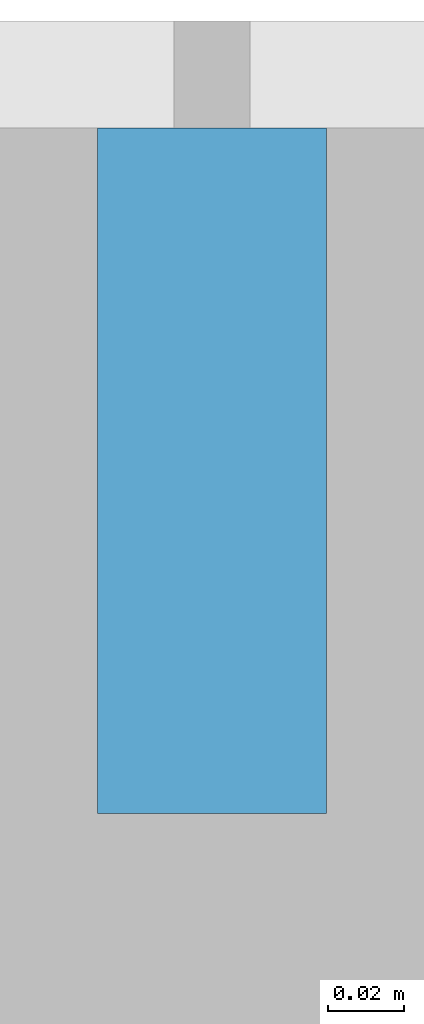
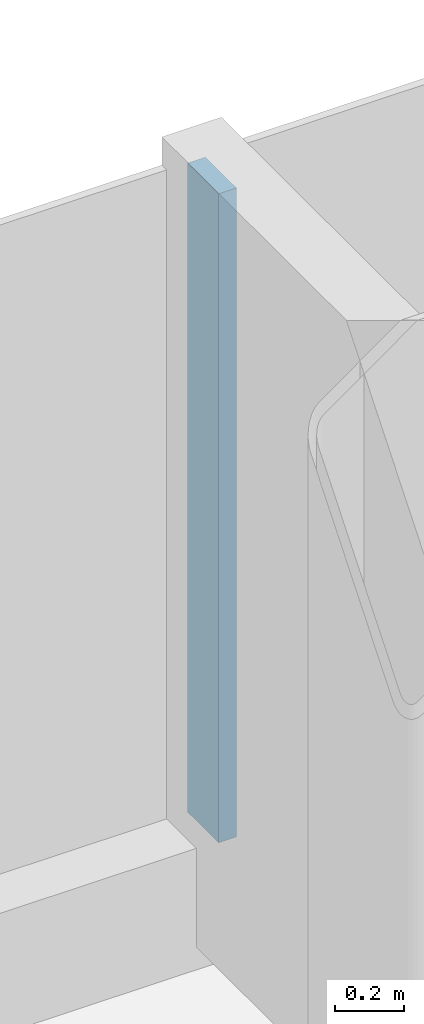
# One storey, part 7 of 26: 1 member, 1 element without a shape of its own.
"""IFC4 building model written with IfcOpenShell, lengths in metres."""

from ifc_helpers import new_model, si_unit, direction, frame, origin, origin_2d, place, context, subcontext, project, spatial, rectangle, extrude, material, layer, layer_set, material_profile, profile_set, type_object, element, aggregate, save


model = new_model("IFC4")

# Units and contexts
model_context = context("Model", 3, precision=1e-05, world=origin(), true_north=direction((0.0, 1.0)))
body_context = subcontext(model_context, "Body", "Model", "MODEL_VIEW")
ifc_project = project(units=[si_unit("LENGTHUNIT", "METRE"), si_unit("AREAUNIT", "SQUARE_METRE"), si_unit("VOLUMEUNIT", "CUBIC_METRE"), si_unit("PLANEANGLEUNIT", "RADIAN"), si_unit("MASSUNIT", "GRAM", prefix="KILO")], contexts=[model_context])

# Site, building, storey
site_placement = place(None, origin())
site = spatial("IfcSite", under=ifc_project, at=site_placement, CompositionType="ELEMENT")
building_placement = place(site_placement, origin())
building = spatial("IfcBuilding", under=site, at=building_placement, Name="Hakoniwa Tower and Hamabe Station Hall", CompositionType="ELEMENT")
storey_placement = place(building_placement, frame((0.0, 0.0, 189.800048828125)))
storey = spatial("IfcBuildingStorey", under=building, at=storey_placement, Name="L53", CompositionType="ELEMENT", Elevation=189.800048828125)

# Curtain wall, member
ifc_material_1 = material(Name="Dark low-e laminated glass", Category="glass")
ifc_layer = layer(ifc_material_1, 0.199951171875)
ifc_layer_set = layer_set([ifc_layer], Name="CW-1 UNITISED GUEST")
curtain_wall_type = type_object("IfcCurtainWallType", Name="CW-1 UNITISED GUEST", PredefinedType="NOTDEFINED", material=ifc_layer_set)
curtain_wall_placement = place(storey_placement, origin())
curtain_wall = element("IfcCurtainWall", 1, at=curtain_wall_placement, inside=storey, type_object=curtain_wall_type, Name="CW-1 curtain wall", PredefinedType="NOTDEFINED")
ifc_material_2 = material(Name="Aluminium 6063-T5 black anodised", Category="aluminium")
ifc_material_profile = material_profile(ifc_material_2, rectangle(XDim=0.06005859375, YDim=0.179931640625, at=origin_2d()), Name="CW-1 MULLION 60X180")
ifc_profile_set = profile_set([ifc_material_profile], Name="Aluminium 6063-T5 black anodised")
member_type = type_object("IfcMemberType", Name="CW-1 MULLION 60X180", PredefinedType="MULLION", material=ifc_profile_set)
member_placement = place(storey_placement, frame((0.0, 20.431884765625, 0.349853515625), z_axis=(0.0, 0.0, 1.0), x_axis=(-1.0, 0.0, 0.0)))
member = element("IfcMember", 2, at=member_placement, type_object=member_type, Name="CW-1 mullion", PredefinedType="MULLION", context=body_context, shape_type="SweptSolid", body=[
    extrude(rectangle(XDim=0.06005859375, YDim=0.179931640625, at=origin_2d()), origin(), (0.0, 0.0, 1.0), 2.300048828125),
])
aggregate(curtain_wall, [member])

save(model, "model.ifc")
